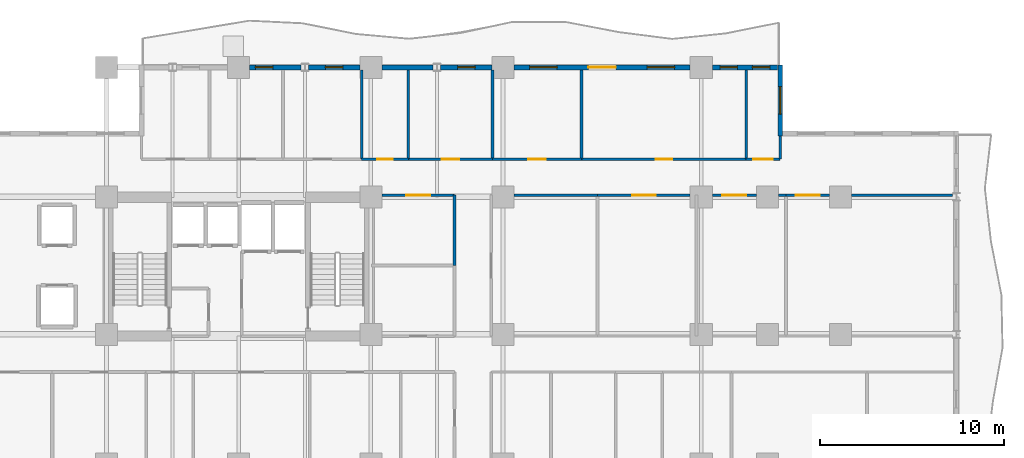
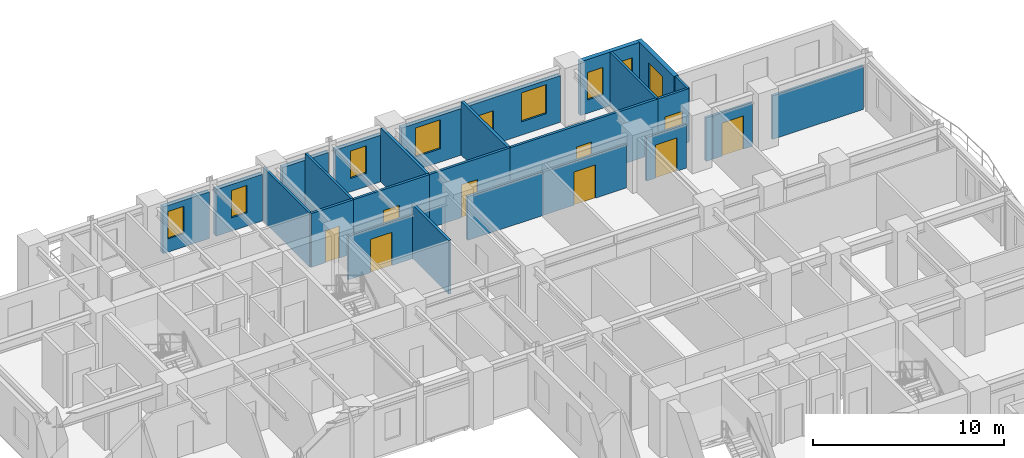
# One storey, part 7 of 11: 26 walls, 10 doors, 8 windows, 18 openings.
"""IFC4 building model written with IfcOpenShell, lengths in metres."""

import ifcopenshell
import ifcopenshell.guid

model = None  # the IFC model being written
_history = None  # IfcOwnerHistory: only IFC2X3 demands one
_inside = {}  # id of a spatial element -> (the spatial element, [elements in it])
_under = {}  # id of a project, library or spatial element -> (it, [spatial elements below it])
_declared = {}  # id of a project -> (the project, [libraries it declares])
_typed = {}  # id of a type object -> (the type object, [elements of that type])
_made_of = {}  # id of a material, layer set ... -> (it, [elements and type objects made of it])


def new_model(schema):
    """Start an empty IFC model of exactly this schema.

    Asked for "IFC4X3", IfcOpenShell would pick the latest addendum, in which some entities
    have other attributes; the version numbers below select the first issue.
    IFC2X3 requires an IfcOwnerHistory on every rooted entity: one is made here for all.
    """
    global model, _history
    if schema == "IFC4X3":
        model = ifcopenshell.file(schema_version=(4, 3, 0, 0))
    else:
        model = ifcopenshell.file(schema=schema)
    _inside.clear()
    _under.clear()
    _declared.clear()
    _typed.clear()
    _made_of.clear()
    _history = None
    if model.schema == "IFC2X3":
        org = make("IfcOrganization", Name="unknown")
        user = make(
            "IfcPersonAndOrganization",
            ThePerson=make("IfcPerson", FamilyName="unknown"),
            TheOrganization=org,
        )
        app = make(
            "IfcApplication",
            ApplicationDeveloper=org,
            Version="unknown",
            ApplicationFullName="unknown",
            ApplicationIdentifier="unknown",
        )
        _history = make(
            "IfcOwnerHistory",
            OwningUser=user,
            OwningApplication=app,
            ChangeAction="ADDED",
            CreationDate=0,
        )
    return model


def make(cls, **values):
    """One entity of the class cls with the attributes given. An attribute that is None is left unset."""
    return model.create_entity(
        cls, **{name: value for name, value in values.items() if value is not None}
    )


def rooted(cls, **values):
    """An entity with a GlobalId (a new one), such as an element, a storey or a relation."""
    return make(cls, GlobalId=ifcopenshell.guid.new(), OwnerHistory=_history, **values)


def si_unit(unit_type, name, prefix=None):
    """IfcSIUnit, for example si_unit("LENGTHUNIT", "METRE", prefix="MILLI")."""
    return make("IfcSIUnit", UnitType=unit_type, Prefix=prefix, Name=name)


def assignment(units):
    """IfcUnitAssignment: the units of a project."""
    return None if units is None else make("IfcUnitAssignment", Units=units)


def point(xyz):
    """IfcCartesianPoint."""
    return None if xyz is None else make("IfcCartesianPoint", Coordinates=xyz)


def direction(xyz):
    """IfcDirection."""
    return None if xyz is None else make("IfcDirection", DirectionRatios=xyz)


def frame(location, z_axis=None, x_axis=None):
    """IfcAxis2Placement3D, a coordinate frame: its origin and axes. An axis left out is left unset."""
    return make(
        "IfcAxis2Placement3D",
        Location=point(location),
        Axis=direction(z_axis),
        RefDirection=direction(x_axis),
    )


def frame_2d(location, x_axis=None):
    """IfcAxis2Placement2D, a coordinate frame in the plane: its origin and x axis."""
    return make(
        "IfcAxis2Placement2D", Location=point(location), RefDirection=direction(x_axis)
    )


def origin():
    """The frame at (0, 0, 0) with its axes left unset."""
    return frame((0.0, 0.0, 0.0))


def place(relative_to, where):
    """IfcLocalPlacement: puts the frame where relative to a parent placement (None: the world)."""
    return make(
        "IfcLocalPlacement", PlacementRelTo=relative_to, RelativePlacement=where
    )


def context(
    kind, dimensions, precision=None, world=None, true_north=None, identifier=None
):
    """IfcGeometricRepresentationContext, for example the 3D "Model" context."""
    return make(
        "IfcGeometricRepresentationContext",
        ContextIdentifier=identifier,
        ContextType=kind,
        CoordinateSpaceDimension=dimensions,
        Precision=precision,
        WorldCoordinateSystem=world,
        TrueNorth=true_north,
    )


def subcontext(parent, identifier, kind, view, scale=None):
    """IfcGeometricRepresentationSubContext, for example "Body" below "Model"."""
    return make(
        "IfcGeometricRepresentationSubContext",
        ContextIdentifier=identifier,
        ContextType=kind,
        ParentContext=parent,
        TargetScale=scale,
        TargetView=view,
    )


def project(units=None, contexts=None):
    """IfcProject with its units and contexts."""
    return rooted(
        "IfcProject",
        Name="project",
        RepresentationContexts=contexts,
        UnitsInContext=assignment(units),
    )


def spatial(cls, under=None, at=None, **own):
    """A site, building, storey or space (cls), placed at a placement, below another one or the project."""
    s = rooted(cls, ObjectPlacement=at, **own)
    if under is not None:
        _under.setdefault(under.id(), (under, []))[1].append(s)
    return s


def profile(cls, at=None, kind="AREA", **sizes):
    """A parametric profile (cls). Its sizes go by their IFC names, for example OverallWidth=200.0."""
    return make(cls, ProfileType=kind, Position=at, **sizes)


def rectangle(**sizes):
    """IfcRectangleProfileDef."""
    return profile("IfcRectangleProfileDef", **sizes)


def extrude(swept, where, along, depth):
    """IfcExtrudedAreaSolid: the profile swept, set in the frame where, extruded along a direction by depth."""
    return make(
        "IfcExtrudedAreaSolid",
        SweptArea=swept,
        Position=where,
        ExtrudedDirection=direction(along),
        Depth=depth,
    )


def shape(context_of_items, identifier, shape_type, items):
    """IfcShapeRepresentation: the items that make up one representation, for example the "Body"."""
    return make(
        "IfcShapeRepresentation",
        ContextOfItems=context_of_items,
        RepresentationIdentifier=identifier,
        RepresentationType=shape_type,
        Items=items,
    )


def material(Name=None, Category=None):
    """IfcMaterial."""
    return make("IfcMaterial", Name=Name, Category=Category)


def layer(
    of_material, thickness, ventilated=None, Name=None, Category=None, Priority=None
):
    """IfcMaterialLayer: one layer of a wall or slab, of a material (None: an air gap)."""
    return make(
        "IfcMaterialLayer",
        Material=of_material,
        LayerThickness=thickness,
        IsVentilated=ventilated,
        Name=Name,
        Category=Category,
        Priority=Priority,
    )


def layer_set(layers, Name=None):
    """IfcMaterialLayerSet."""
    return make("IfcMaterialLayerSet", MaterialLayers=layers, LayerSetName=Name)


def made_of(thing, what):
    """Note that an element or type object is made of a material, layer set ...; save() writes the relation."""
    if what is not None:
        _made_of.setdefault(what.id(), (what, []))[1].append(thing)
    return thing


def type_object(cls, material=None, **own):
    """A type object (cls), such as IfcWallType, which elements share."""
    return made_of(rooted(cls, **own), material)


def element(
    cls,
    number,
    at=None,
    inside=None,
    cuts=None,
    type_object=None,
    material=None,
    context=None,
    identifier="Body",
    shape_type=None,
    held_by="IfcProductDefinitionShape",
    body=None,
    shapes=None,
    **own,
):
    """One element of the class cls, such as IfcWall. Its Tag is "e" and its number.

    at: its placement. inside: the storey or other place that contains it. cuts: it is an
    opening in that element (IfcRelVoidsElement). A single representation is given by context,
    identifier, shape_type and body (its items); several are given by shapes. held_by: the class
    of the entity that holds the representations. save() writes the other relations.
    """
    e = rooted(cls, Tag="e%d" % number, ObjectPlacement=at, **own)
    if body is not None:
        shapes = [shape(context, identifier, shape_type, body)]
    if shapes is not None:
        e.Representation = make(held_by, Representations=shapes)
    if inside is not None:
        _inside.setdefault(inside.id(), (inside, []))[1].append(e)
    if cuts is not None:
        rooted(
            "IfcRelVoidsElement", RelatingBuildingElement=cuts, RelatedOpeningElement=e
        )
    if type_object is not None:
        _typed.setdefault(type_object.id(), (type_object, []))[1].append(e)
    return made_of(e, material)


def fill(opening, filler):
    """IfcRelFillsElement: the door or window that sits in an opening."""
    return rooted(
        "IfcRelFillsElement",
        RelatingOpeningElement=opening,
        RelatedBuildingElement=filler,
    )


def aggregate(whole, parts):
    """IfcRelAggregates: a whole, such as a stair, and the parts it consists of."""
    return rooted("IfcRelAggregates", RelatingObject=whole, RelatedObjects=parts)


def save(model, path):
    """Write the relations noted so far, then the file.

    IfcRelAggregates (storeys below a building ...), IfcRelContainedInSpatialStructure (elements
    in a storey), IfcRelDefinesByType, IfcRelAssociatesMaterial and IfcRelDeclares: one each for
    every whole, place, type object, material and project.
    """
    for whole, parts in _under.values():
        aggregate(whole, parts)
    for where, things in _inside.values():
        rooted(
            "IfcRelContainedInSpatialStructure",
            RelatedElements=things,
            RelatingStructure=where,
        )
    for kind, things in _typed.values():
        rooted("IfcRelDefinesByType", RelatedObjects=things, RelatingType=kind)
    for what, things in _made_of.values():
        rooted("IfcRelAssociatesMaterial", RelatedObjects=things, RelatingMaterial=what)
    for by, libraries in _declared.values():
        rooted("IfcRelDeclares", RelatingContext=by, RelatedDefinitions=libraries)
    model.write(path)


model = new_model("IFC4")

# Units and contexts
model_context = context("Model", 3, precision=1e-05, world=origin(), true_north=direction((0.0, 1.0)))
body_context = subcontext(model_context, "Body", "Model", "MODEL_VIEW")
ifc_project = project(units=[si_unit("LENGTHUNIT", "METRE"), si_unit("AREAUNIT", "SQUARE_METRE"), si_unit("VOLUMEUNIT", "CUBIC_METRE"), si_unit("PLANEANGLEUNIT", "RADIAN"), si_unit("MASSUNIT", "GRAM", prefix="KILO")], contexts=[model_context])

# Site, building, storey
site_placement = place(None, origin())
site = spatial("IfcSite", under=ifc_project, at=site_placement, CompositionType="ELEMENT")
building_placement = place(site_placement, origin())
building = spatial("IfcBuilding", under=site, at=building_placement, Name="Kaliganga Portal Commons", CompositionType="ELEMENT")
storey_placement = place(building_placement, frame((0.0, 0.0, 119.300048828125)))
storey = spatial("IfcBuildingStorey", under=building, at=storey_placement, Name="L30", CompositionType="ELEMENT", Elevation=119.300048828125)

# Wall, opening, window
ifc_material_1 = material(Name="Insulated Aluminium-Clad Spandrel Assembly", Category="aluminium")
ifc_layer_1 = layer(ifc_material_1, 0.260009765625)
ifc_layer_set_1 = layer_set([ifc_layer_1], Name="Insulated Aluminium-Clad Spandrel Assembly")
wall_type_1 = type_object("IfcWallType", Name="WL-EXT-SPAND-260", PredefinedType="STANDARD", material=ifc_layer_set_1)
wall_1_placement = place(storey_placement, frame((51.10009765625, 43.330078125, 0.0), z_axis=(0.0, 0.0, 1.0), x_axis=(0.0, -1.0, 0.0)))
wall_1 = element("IfcWall", 1, at=wall_1_placement, inside=storey, type_object=wall_type_1, Name="Exterior Envelope Wall L30 P1-E05-S1", PredefinedType="STANDARD", context=body_context, shape_type="SweptSolid", body=[
    extrude(rectangle(XDim=3.860107421875, YDim=0.260009765625, at=frame_2d((1.93017578125, 0.0))), origin(), (0.0, 0.0, 1.0), 3.429931640625),
])
opening_1_placement = place(wall_1_placement, frame((1.179931640625, 0.0, 0.85009765625)))
opening_1 = element("IfcOpeningElement", 2, at=opening_1_placement, cuts=wall_1, Name="Opening W-02", PredefinedType="OPENING", context=body_context, shape_type="SweptSolid", body=[
    extrude(rectangle(XDim=1.5, YDim=1.85009765625, at=frame_2d((0.75, 0.925048828125))), frame((0.0, 0.14013671875, 0.0), z_axis=(0.0, -1.0, 0.0), x_axis=(1.0, 0.0, 0.0)), (0.0, 0.0, 1.0), 0.280029296875),
])
ifc_material_2 = material(Name="Thermally Broken Aluminium and Low-E Double Glazing", Category="aluminium")
window_type_1 = type_object("IfcWindowType", Name="WIN-STD-1500", PartitioningType="DOUBLE_PANEL_VERTICAL", PredefinedType="WINDOW", material=ifc_material_2)
window_1_placement = place(opening_1_placement, origin())
window_1 = element("IfcWindow", 3, at=window_1_placement, inside=storey, type_object=window_type_1, Name="Facade Window L30-P1E05S1-00", OverallHeight=1.85009765625, OverallWidth=1.5, PartitioningType="SINGLE_PANEL", PredefinedType="WINDOW", context=body_context, shape_type="SweptSolid", body=[
    extrude(rectangle(XDim=1.5, YDim=1.85009765625, at=frame_2d((0.75, 0.925048828125))), frame((0.0, 0.030029296875, 0.0), z_axis=(0.0, -1.0, 0.0), x_axis=(1.0, 0.0, 0.0)), (0.0, 0.0, 1.0), 0.06005859375),
])
fill(opening_1, window_1)

# Wall, openings, windows
wall_2_placement = place(storey_placement, frame((47.40087890625, 43.199951171875, 0.0), z_axis=(0.0, 0.0, 1.0), x_axis=(1.0, 0.0, 0.0)))
wall_2 = element("IfcWall", 4, at=wall_2_placement, inside=storey, type_object=wall_type_1, Name="Exterior Envelope Wall L30 P1-E06-S1", PredefinedType="STANDARD", context=body_context, shape_type="SweptSolid", body=[
    extrude(rectangle(XDim=3.564208984375, YDim=0.260009765625, at=frame_2d((1.7822265625, 0.0))), origin(), (0.0, 0.0, 1.0), 3.429931640625),
])
opening_2_placement = place(wall_2_placement, frame((0.423095703125, 0.0, 0.85009765625)))
opening_2 = element("IfcOpeningElement", 5, at=opening_2_placement, cuts=wall_2, Name="Opening W-04", PredefinedType="OPENING", context=body_context, shape_type="SweptSolid", body=[
    extrude(rectangle(XDim=0.949951171875, YDim=1.75, at=frame_2d((0.47509765625, 0.875))), frame((0.0, 0.14013671875, 0.0), z_axis=(0.0, -1.0, 0.0), x_axis=(1.0, 0.0, 0.0)), (0.0, 0.0, 1.0), 0.280029296875),
])
opening_3_placement = place(wall_2_placement, frame((2.19091796875, 0.0, 0.85009765625)))
opening_3 = element("IfcOpeningElement", 6, at=opening_3_placement, cuts=wall_2, Name="Opening W-04", PredefinedType="OPENING", context=body_context, shape_type="SweptSolid", body=[
    extrude(rectangle(XDim=0.949951171875, YDim=1.75, at=frame_2d((0.47509765625, 0.875))), frame((0.0, 0.14013671875, 0.0), z_axis=(0.0, -1.0, 0.0), x_axis=(1.0, 0.0, 0.0)), (0.0, 0.0, 1.0), 0.280029296875),
])
window_type_2 = type_object("IfcWindowType", Name="WIN-NARROW-950", PartitioningType="SINGLE_PANEL", PredefinedType="WINDOW", material=ifc_material_2)
window_2_placement = place(opening_2_placement, origin())
window_2 = element("IfcWindow", 7, at=window_2_placement, inside=storey, type_object=window_type_2, Name="Facade Window L30-P1E06S1-N1", OverallHeight=1.75, OverallWidth=0.949951171875, PartitioningType="SINGLE_PANEL", PredefinedType="WINDOW", context=body_context, shape_type="SweptSolid", body=[
    extrude(rectangle(XDim=0.949951171875, YDim=1.75, at=frame_2d((0.47509765625, 0.875))), frame((0.0, 0.030029296875, 0.0), z_axis=(0.0, -1.0, 0.0), x_axis=(1.0, 0.0, 0.0)), (0.0, 0.0, 1.0), 0.06005859375),
])
fill(opening_2, window_2)
window_3_placement = place(opening_3_placement, origin())
window_3 = element("IfcWindow", 8, at=window_3_placement, inside=storey, type_object=window_type_2, Name="Facade Window L30-P1E06S1-N2", OverallHeight=1.75, OverallWidth=0.949951171875, PartitioningType="SINGLE_PANEL", PredefinedType="WINDOW", context=body_context, shape_type="SweptSolid", body=[
    extrude(rectangle(XDim=0.949951171875, YDim=1.75, at=frame_2d((0.47509765625, 0.875))), frame((0.0, 0.030029296875, 0.0), z_axis=(0.0, -1.0, 0.0), x_axis=(1.0, 0.0, 0.0)), (0.0, 0.0, 1.0), 0.06005859375),
])
fill(opening_3, window_3)

# Wall, openings, door, windows
wall_3_placement = place(storey_placement, frame((36.60107421875, 43.199951171875, 0.0), z_axis=(0.0, 0.0, 1.0), x_axis=(1.0, 0.0, 0.0)))
wall_3 = element("IfcWall", 9, at=wall_3_placement, inside=storey, type_object=wall_type_1, Name="Exterior Envelope Wall L30 P1-E06-S2", PredefinedType="STANDARD", context=body_context, shape_type="SweptSolid", body=[
    extrude(rectangle(XDim=9.597900390625, YDim=0.260009765625, at=frame_2d((4.798828125, 0.0))), origin(), (0.0, 0.0, 1.0), 2.97998046875),
])
opening_4_placement = place(wall_3_placement, frame((4.049072265625, 0.0, 0.0)))
opening_4 = element("IfcOpeningElement", 10, at=opening_4_placement, cuts=wall_3, Name="Opening BD-01", PredefinedType="OPENING", context=body_context, shape_type="SweptSolid", body=[
    extrude(rectangle(XDim=1.5, YDim=2.14990234375, at=frame_2d((0.75, 1.074951171875))), frame((0.0, 0.14013671875, 0.0), z_axis=(0.0, -1.0, 0.0), x_axis=(1.0, 0.0, 0.0)), (0.0, 0.0, 1.0), 0.280029296875),
])
opening_5_placement = place(wall_3_placement, frame((0.849609375, 0.0, 0.85009765625)))
opening_5 = element("IfcOpeningElement", 11, at=opening_5_placement, cuts=wall_3, Name="Opening W-02", PredefinedType="OPENING", context=body_context, shape_type="SweptSolid", body=[
    extrude(rectangle(XDim=1.5, YDim=1.85009765625, at=frame_2d((0.75, 0.925048828125))), frame((0.0, 0.14013671875, 0.0), z_axis=(0.0, -1.0, 0.0), x_axis=(1.0, 0.0, 0.0)), (0.0, 0.0, 1.0), 0.280029296875),
])
opening_6_placement = place(wall_3_placement, frame((7.248291015625, 0.0, 0.85009765625)))
opening_6 = element("IfcOpeningElement", 12, at=opening_6_placement, cuts=wall_3, Name="Opening W-02", PredefinedType="OPENING", context=body_context, shape_type="SweptSolid", body=[
    extrude(rectangle(XDim=1.5, YDim=1.85009765625, at=frame_2d((0.75, 0.925048828125))), frame((0.0, 0.14013671875, 0.0), z_axis=(0.0, -1.0, 0.0), x_axis=(1.0, 0.0, 0.0)), (0.0, 0.0, 1.0), 0.280029296875),
])
ifc_material_3 = material(Name="Anodized Aluminium and Laminated Safety Glass", Category="aluminium")
door_type_1 = type_object("IfcDoorType", Name="DR-BALC-1500", OperationType="SLIDING_TO_LEFT", PredefinedType="DOOR", material=ifc_material_3)
door_1_placement = place(opening_4_placement, origin())
door_1 = element("IfcDoor", 13, at=door_1_placement, inside=storey, type_object=door_type_1, Name="Balcony Sliding Door L30 balc_north", OperationType="SLIDING_TO_LEFT", OverallHeight=2.14990234375, OverallWidth=1.5, PredefinedType="DOOR", context=body_context, shape_type="SweptSolid", body=[
    extrude(rectangle(XDim=1.5, YDim=2.14990234375, at=frame_2d((0.75, 1.074951171875))), frame((0.0, 0.02490234375, 0.0), z_axis=(0.0, -1.0, 0.0), x_axis=(1.0, 0.0, 0.0)), (0.0, 0.0, 1.0), 0.050048828125),
])
fill(opening_4, door_1)
window_4_placement = place(opening_5_placement, origin())
window_4 = element("IfcWindow", 14, at=window_4_placement, inside=storey, type_object=window_type_1, Name="Facade Window L30-P1E06S2-00", OverallHeight=1.85009765625, OverallWidth=1.5, PartitioningType="SINGLE_PANEL", PredefinedType="WINDOW", context=body_context, shape_type="SweptSolid", body=[
    extrude(rectangle(XDim=1.5, YDim=1.85009765625, at=frame_2d((0.75, 0.925048828125))), frame((0.0, 0.030029296875, 0.0), z_axis=(0.0, -1.0, 0.0), x_axis=(1.0, 0.0, 0.0)), (0.0, 0.0, 1.0), 0.06005859375),
])
fill(opening_5, window_4)
window_5_placement = place(opening_6_placement, origin())
window_5 = element("IfcWindow", 15, at=window_5_placement, inside=storey, type_object=window_type_1, Name="Facade Window L30-P1E06S2-02", OverallHeight=1.85009765625, OverallWidth=1.5, PartitioningType="SINGLE_PANEL", PredefinedType="WINDOW", context=body_context, shape_type="SweptSolid", body=[
    extrude(rectangle(XDim=1.5, YDim=1.85009765625, at=frame_2d((0.75, 0.925048828125))), frame((0.0, 0.030029296875, 0.0), z_axis=(0.0, -1.0, 0.0), x_axis=(1.0, 0.0, 0.0)), (0.0, 0.0, 1.0), 0.06005859375),
])
fill(opening_6, window_5)

# Wall, opening, window
wall_4_placement = place(storey_placement, frame((32.60546875, 43.199951171875, 0.0), z_axis=(0.0, 0.0, 1.0), x_axis=(1.0, 0.0, 0.0)))
wall_4 = element("IfcWall", 16, at=wall_4_placement, inside=storey, type_object=wall_type_1, Name="Exterior Envelope Wall L30 P1-E06-S3", PredefinedType="STANDARD", context=body_context, shape_type="SweptSolid", body=[
    extrude(rectangle(XDim=2.79345703125, YDim=0.260009765625, at=frame_2d((1.396728515625, 0.0))), origin(), (0.0, 0.0, 1.0), 2.97998046875),
])
opening_7_placement = place(wall_4_placement, frame((0.921875, 0.0, 0.85009765625)))
opening_7 = element("IfcOpeningElement", 17, at=opening_7_placement, cuts=wall_4, Name="Opening W-04", PredefinedType="OPENING", context=body_context, shape_type="SweptSolid", body=[
    extrude(rectangle(XDim=0.949951171875, YDim=1.75, at=frame_2d((0.47509765625, 0.875))), frame((0.0, 0.14013671875, 0.0), z_axis=(0.0, -1.0, 0.0), x_axis=(1.0, 0.0, 0.0)), (0.0, 0.0, 1.0), 0.280029296875),
])
window_6_placement = place(opening_7_placement, origin())
window_6 = element("IfcWindow", 18, at=window_6_placement, inside=storey, type_object=window_type_2, Name="Facade Window L30-P1E06S3-00", OverallHeight=1.75, OverallWidth=0.949951171875, PartitioningType="SINGLE_PANEL", PredefinedType="WINDOW", context=body_context, shape_type="SweptSolid", body=[
    extrude(rectangle(XDim=0.949951171875, YDim=1.75, at=frame_2d((0.47509765625, 0.875))), frame((0.0, 0.030029296875, 0.0), z_axis=(0.0, -1.0, 0.0), x_axis=(1.0, 0.0, 0.0)), (0.0, 0.0, 1.0), 0.06005859375),
])
fill(opening_7, window_6)

# Wall
wall_5_placement = place(storey_placement, frame((29.40087890625, 43.199951171875, 0.0), z_axis=(0.0, 0.0, 1.0), x_axis=(1.0, 0.0, 0.0)))
element("IfcWall", 19, at=wall_5_placement, inside=storey, type_object=wall_type_1, Name="Exterior Envelope Wall L30 P1-E06-S4", PredefinedType="STANDARD", context=body_context, shape_type="SweptSolid", body=[
    extrude(rectangle(XDim=2.793701171875, YDim=0.260009765625, at=frame_2d((1.39697265625, 0.0))), origin(), (0.0, 0.0, 1.0), 2.97998046875),
])

# Wall, opening, window
wall_6_placement = place(storey_placement, frame((25.405517578125, 43.199951171875, 0.0), z_axis=(0.0, 0.0, 1.0), x_axis=(1.0, 0.0, 0.0)))
wall_6 = element("IfcWall", 20, at=wall_6_placement, inside=storey, type_object=wall_type_1, Name="Exterior Envelope Wall L30 P1-E06-S5", PredefinedType="STANDARD", context=body_context, shape_type="SweptSolid", body=[
    extrude(rectangle(XDim=2.79345703125, YDim=0.260009765625, at=frame_2d((1.396728515625, 0.0))), origin(), (0.0, 0.0, 1.0), 2.97998046875),
])
opening_8_placement = place(wall_6_placement, frame((0.921875, 0.0, 0.85009765625)))
opening_8 = element("IfcOpeningElement", 21, at=opening_8_placement, cuts=wall_6, Name="Opening W-04", PredefinedType="OPENING", context=body_context, shape_type="SweptSolid", body=[
    extrude(rectangle(XDim=0.949951171875, YDim=1.75, at=frame_2d((0.47509765625, 0.875))), frame((0.0, 0.14013671875, 0.0), z_axis=(0.0, -1.0, 0.0), x_axis=(1.0, 0.0, 0.0)), (0.0, 0.0, 1.0), 0.280029296875),
])
window_7_placement = place(opening_8_placement, origin())
window_7 = element("IfcWindow", 22, at=window_7_placement, inside=storey, type_object=window_type_2, Name="Facade Window L30-P1E06S5-00", OverallHeight=1.75, OverallWidth=0.949951171875, PartitioningType="SINGLE_PANEL", PredefinedType="WINDOW", context=body_context, shape_type="SweptSolid", body=[
    extrude(rectangle(XDim=0.949951171875, YDim=1.75, at=frame_2d((0.47509765625, 0.875))), frame((0.0, 0.030029296875, 0.0), z_axis=(0.0, -1.0, 0.0), x_axis=(1.0, 0.0, 0.0)), (0.0, 0.0, 1.0), 0.06005859375),
])
fill(opening_8, window_7)

wall_7_placement = place(storey_placement, frame((22.200927734375, 43.199951171875, 0.0), z_axis=(0.0, 0.0, 1.0), x_axis=(1.0, 0.0, 0.0)))
wall_7 = element("IfcWall", 23, at=wall_7_placement, inside=storey, type_object=wall_type_1, Name="Exterior Envelope Wall L30 P1-E06-S6", PredefinedType="STANDARD", context=body_context, shape_type="SweptSolid", body=[
    extrude(rectangle(XDim=2.79345703125, YDim=0.260009765625, at=frame_2d((1.396728515625, 0.0))), origin(), (0.0, 0.0, 1.0), 2.97998046875),
])
opening_9_placement = place(wall_7_placement, frame((0.30712890625, 0.0, 0.85009765625)))
opening_9 = element("IfcOpeningElement", 24, at=opening_9_placement, cuts=wall_7, Name="Opening W-04", PredefinedType="OPENING", context=body_context, shape_type="SweptSolid", body=[
    extrude(rectangle(XDim=0.949951171875, YDim=1.75, at=frame_2d((0.47509765625, 0.875))), frame((0.0, 0.14013671875, 0.0), z_axis=(0.0, -1.0, 0.0), x_axis=(1.0, 0.0, 0.0)), (0.0, 0.0, 1.0), 0.280029296875),
])
window_8_placement = place(opening_9_placement, origin())
window_8 = element("IfcWindow", 25, at=window_8_placement, inside=storey, type_object=window_type_2, Name="Facade Window L30-P1E06S6-N3", OverallHeight=1.75, OverallWidth=0.949951171875, PartitioningType="SINGLE_PANEL", PredefinedType="WINDOW", context=body_context, shape_type="SweptSolid", body=[
    extrude(rectangle(XDim=0.949951171875, YDim=1.75, at=frame_2d((0.47509765625, 0.875))), frame((0.0, 0.030029296875, 0.0), z_axis=(0.0, -1.0, 0.0), x_axis=(1.0, 0.0, 0.0)), (0.0, 0.0, 1.0), 0.06005859375),
])
fill(opening_9, window_8)

# Wall, opening, door
ifc_material_4 = material(Name="Fire-Rated Gypsum Board on Steel Stud", Category="steel")
ifc_layer_2 = layer(ifc_material_4, 0.14990234375)
ifc_layer_set_2 = layer_set([ifc_layer_2], Name="Fire-Rated Gypsum Board on Steel Stud")
wall_type_2 = type_object("IfcWallType", Name="WL-PART-CORR-150", PredefinedType="PARTITIONING", material=ifc_layer_set_2)
wall_8_placement = place(storey_placement, frame((51.419921875, 36.239990234375, 0.0), z_axis=(0.0, 0.0, 1.0), x_axis=(1.0, 0.0, 0.0)))
wall_8 = element("IfcWall", 26, at=wall_8_placement, inside=storey, type_object=wall_type_2, Name="Interior Partition L30-005", PredefinedType="PARTITIONING", context=body_context, shape_type="SweptSolid", body=[
    extrude(rectangle(XDim=2.380126953125, YDim=0.14990234375, at=frame_2d((1.18994140625, 0.0))), origin(), (0.0, 0.0, 1.0), 2.780029296875),
])
opening_10_placement = place(wall_8_placement, frame((0.5400390625, 0.0, 0.0)))
opening_10 = element("IfcOpeningElement", 27, at=opening_10_placement, cuts=wall_8, Name="Opening RD-03", PredefinedType="OPENING", context=body_context, shape_type="SweptSolid", body=[
    extrude(rectangle(XDim=1.300048828125, YDim=2.1201171875, at=frame_2d((0.64990234375, 1.06005859375))), frame((0.0, 0.0849609375, 0.0), z_axis=(0.0, -1.0, 0.0), x_axis=(1.0, 0.0, 0.0)), (0.0, 0.0, 1.0), 0.169921875),
])
ifc_material_5 = material(Name="Glazed Timber Seminar Vision Door", Category="wood")
door_type_2 = type_object("IfcDoorType", Name="DR-STUDY-1300", OperationType="DOUBLE_DOOR_SINGLE_SWING", PredefinedType="DOOR", material=ifc_material_5)
door_2_placement = place(opening_10_placement, origin())
door_2 = element("IfcDoor", 28, at=door_2_placement, inside=storey, type_object=door_type_2, Name="Interior Door L30-BK04", OperationType="DOUBLE_DOOR_SINGLE_SWING", OverallHeight=2.1201171875, OverallWidth=1.300048828125, PredefinedType="DOOR", context=body_context, shape_type="SweptSolid", body=[
    extrude(rectangle(XDim=1.300048828125, YDim=2.1201171875, at=frame_2d((0.64990234375, 1.06005859375))), frame((0.0, 0.02490234375, 0.0), z_axis=(0.0, -1.0, 0.0), x_axis=(1.0, 0.0, 0.0)), (0.0, 0.0, 1.0), 0.050048828125),
])
fill(opening_10, door_2)

# Wall
wall_9_placement = place(storey_placement, frame((55.0, 36.239990234375, 0.0), z_axis=(0.0, 0.0, 1.0), x_axis=(1.0, 0.0, 0.0)))
element("IfcWall", 29, at=wall_9_placement, inside=storey, type_object=wall_type_2, Name="Interior Partition L30-006", PredefinedType="PARTITIONING", context=body_context, shape_type="SweptSolid", body=[
    extrude(rectangle(XDim=5.49560546875, YDim=0.14990234375, at=frame_2d((2.747802734375, 0.0))), origin(), (0.0, 0.0, 1.0), 2.780029296875),
])

# Wall, opening, door
wall_10_placement = place(storey_placement, frame((40.280029296875, 38.199951171875, 0.0), z_axis=(0.0, 0.0, 1.0), x_axis=(1.0, 0.0, 0.0)))
wall_10 = element("IfcWall", 30, at=wall_10_placement, inside=storey, type_object=wall_type_2, Name="Interior Partition L30-007", PredefinedType="PARTITIONING", context=body_context, shape_type="SweptSolid", body=[
    extrude(rectangle(XDim=8.9599609375, YDim=0.14990234375, at=frame_2d((4.47998046875, 0.0))), origin(), (0.0, 0.0, 1.0), 3.429931640625),
])
opening_11_placement = place(wall_10_placement, frame((4.030029296875, 0.0, 0.0)))
opening_11 = element("IfcOpeningElement", 31, at=opening_11_placement, cuts=wall_10, Name="Opening RD-01", PredefinedType="OPENING", context=body_context, shape_type="SweptSolid", body=[
    extrude(rectangle(XDim=0.89990234375, YDim=2.080078125, at=frame_2d((0.449951171875, 1.0400390625))), frame((0.0, 0.0849609375, 0.0), z_axis=(0.0, -1.0, 0.0), x_axis=(1.0, 0.0, 0.0)), (0.0, 0.0, 1.0), 0.169921875),
])
ifc_material_6 = material(Name="Engineered Timber Flush Door", Category="wood")
door_type_3 = type_object("IfcDoorType", Name="DR-ROOM-900", OperationType="NOTDEFINED", PredefinedType="DOOR", material=ifc_material_6)
door_3_placement = place(opening_11_placement, origin())
door_3 = element("IfcDoor", 32, at=door_3_placement, inside=storey, type_object=door_type_3, Name="Interior Door L30-AN07", OperationType="SINGLE_SWING_LEFT", OverallHeight=2.080078125, OverallWidth=0.89990234375, PredefinedType="DOOR", context=body_context, shape_type="SweptSolid", body=[
    extrude(rectangle(XDim=0.89990234375, YDim=2.080078125, at=frame_2d((0.449951171875, 1.0400390625))), frame((0.0, 0.02490234375, 0.0), z_axis=(0.0, -1.0, 0.0), x_axis=(1.0, 0.0, 0.0)), (0.0, 0.0, 1.0), 0.050048828125),
])
fill(opening_11, door_3)

# Wall
wall_11_placement = place(storey_placement, frame((36.60009765625, 36.239990234375, 0.0), z_axis=(0.0, 0.0, 1.0), x_axis=(1.0, 0.0, 0.0)))
element("IfcWall", 33, at=wall_11_placement, inside=storey, type_object=wall_type_2, Name="Interior Partition L30-013", PredefinedType="PARTITIONING", context=body_context, shape_type="SweptSolid", body=[
    extrude(rectangle(XDim=4.559814453125, YDim=0.14990234375, at=frame_2d((2.27978515625, 0.0))), origin(), (0.0, 0.0, 1.0), 2.780029296875),
])

# Wall, opening, door
wall_12_placement = place(storey_placement, frame((41.159912109375, 36.239990234375, 0.0), z_axis=(0.0, 0.0, 1.0), x_axis=(1.0, 0.0, 0.0)))
wall_12 = element("IfcWall", 34, at=wall_12_placement, inside=storey, type_object=wall_type_2, Name="Interior Partition L30-014", PredefinedType="PARTITIONING", context=body_context, shape_type="SweptSolid", body=[
    extrude(rectangle(XDim=5.0400390625, YDim=0.14990234375, at=frame_2d((2.52001953125, 0.0))), origin(), (0.0, 0.0, 1.0), 2.780029296875),
])
opening_12_placement = place(wall_12_placement, frame((1.8701171875, 0.0, 0.0)))
opening_12 = element("IfcOpeningElement", 35, at=opening_12_placement, cuts=wall_12, Name="Opening RD-03", PredefinedType="OPENING", context=body_context, shape_type="SweptSolid", body=[
    extrude(rectangle(XDim=1.300048828125, YDim=2.1201171875, at=frame_2d((0.64990234375, 1.06005859375))), frame((0.0, 0.0849609375, 0.0), z_axis=(0.0, -1.0, 0.0), x_axis=(1.0, 0.0, 0.0)), (0.0, 0.0, 1.0), 0.169921875),
])
door_4_placement = place(opening_12_placement, origin())
door_4 = element("IfcDoor", 36, at=door_4_placement, inside=storey, type_object=door_type_2, Name="Interior Door L30-BK02", OperationType="DOUBLE_DOOR_SINGLE_SWING", OverallHeight=2.1201171875, OverallWidth=1.300048828125, PredefinedType="DOOR", context=body_context, shape_type="SweptSolid", body=[
    extrude(rectangle(XDim=1.300048828125, YDim=2.1201171875, at=frame_2d((0.64990234375, 1.06005859375))), frame((0.0, 0.02490234375, 0.0), z_axis=(0.0, -1.0, 0.0), x_axis=(1.0, 0.0, 0.0)), (0.0, 0.0, 1.0), 0.050048828125),
])
fill(opening_12, door_4)

wall_13_placement = place(storey_placement, frame((47.39990234375, 36.239990234375, 0.0), z_axis=(0.0, 0.0, 1.0), x_axis=(1.0, 0.0, 0.0)))
wall_13 = element("IfcWall", 37, at=wall_13_placement, inside=storey, type_object=wall_type_2, Name="Interior Partition L30-019", PredefinedType="PARTITIONING", context=body_context, shape_type="SweptSolid", body=[
    extrude(rectangle(XDim=2.400146484375, YDim=0.14990234375, at=frame_2d((1.2001953125, 0.0))), origin(), (0.0, 0.0, 1.0), 2.780029296875),
])
opening_13_placement = place(wall_13_placement, frame((0.550048828125, 0.0, 0.0)))
opening_13 = element("IfcOpeningElement", 38, at=opening_13_placement, cuts=wall_13, Name="Opening RD-03", PredefinedType="OPENING", context=body_context, shape_type="SweptSolid", body=[
    extrude(rectangle(XDim=1.300048828125, YDim=2.1201171875, at=frame_2d((0.64990234375, 1.06005859375))), frame((0.0, 0.0849609375, 0.0), z_axis=(0.0, -1.0, 0.0), x_axis=(1.0, 0.0, 0.0)), (0.0, 0.0, 1.0), 0.169921875),
])
door_5_placement = place(opening_13_placement, origin())
door_5 = element("IfcDoor", 39, at=door_5_placement, inside=storey, type_object=door_type_2, Name="Interior Door L30-BK03", OperationType="DOUBLE_DOOR_SINGLE_SWING", OverallHeight=2.1201171875, OverallWidth=1.300048828125, PredefinedType="DOOR", context=body_context, shape_type="SweptSolid", body=[
    extrude(rectangle(XDim=1.300048828125, YDim=2.1201171875, at=frame_2d((0.64990234375, 1.06005859375))), frame((0.0, 0.02490234375, 0.0), z_axis=(0.0, -1.0, 0.0), x_axis=(1.0, 0.0, 0.0)), (0.0, 0.0, 1.0), 0.050048828125),
])
fill(opening_13, door_5)

# Wall
wall_14_placement = place(storey_placement, frame((51.0, 36.239990234375, 0.0), z_axis=(0.0, 0.0, 1.0), x_axis=(1.0, 0.0, 0.0)))
element("IfcWall", 40, at=wall_14_placement, inside=storey, type_object=wall_type_2, Name="Interior Partition L30-020", PredefinedType="PARTITIONING", context=body_context, shape_type="SweptSolid", body=[
    extrude(rectangle(XDim=0.419921875, YDim=0.14990234375, at=frame_2d((0.2099609375, 0.0))), origin(), (0.0, 0.0, 1.0), 2.780029296875),
])

# Wall, opening, door
wall_15_placement = place(storey_placement, frame((35.419921875, 38.199951171875, 0.0), z_axis=(0.0, 0.0, 1.0), x_axis=(1.0, 0.0, 0.0)))
wall_15 = element("IfcWall", 41, at=wall_15_placement, inside=storey, type_object=wall_type_2, Name="Interior Partition L30-021", PredefinedType="PARTITIONING", context=body_context, shape_type="SweptSolid", body=[
    extrude(rectangle(XDim=4.860107421875, YDim=0.14990234375, at=frame_2d((2.43017578125, 0.0))), origin(), (0.0, 0.0, 1.0), 3.429931640625),
])
opening_14_placement = place(wall_15_placement, frame((1.955078125, 0.0, 0.0)))
opening_14 = element("IfcOpeningElement", 42, at=opening_14_placement, cuts=wall_15, Name="Opening UD-01", PredefinedType="OPENING", context=body_context, shape_type="SweptSolid", body=[
    extrude(rectangle(XDim=0.949951171875, YDim=2.10009765625, at=frame_2d((0.47509765625, 1.050048828125))), frame((0.0, 0.0849609375, 0.0), z_axis=(0.0, -1.0, 0.0), x_axis=(1.0, 0.0, 0.0)), (0.0, 0.0, 1.0), 0.169921875),
])
ifc_material_7 = material(Name="Solid-Core Timber Acoustic Fire Door", Category="wood")
door_type_4 = type_object("IfcDoorType", Name="DR-UNIT-950", OperationType="NOTDEFINED", PredefinedType="DOOR", material=ifc_material_7)
door_6_placement = place(opening_14_placement, origin())
door_6 = element("IfcDoor", 43, at=door_6_placement, inside=storey, type_object=door_type_4, Name="Interior Door L30-AN06", OperationType="SINGLE_SWING_LEFT", OverallHeight=2.10009765625, OverallWidth=0.949951171875, PredefinedType="DOOR", context=body_context, shape_type="SweptSolid", body=[
    extrude(rectangle(XDim=0.949951171875, YDim=2.10009765625, at=frame_2d((0.47509765625, 1.050048828125))), frame((0.0, 0.02490234375, 0.0), z_axis=(0.0, -1.0, 0.0), x_axis=(1.0, 0.0, 0.0)), (0.0, 0.0, 1.0), 0.050048828125),
])
fill(opening_14, door_6)

wall_16_placement = place(storey_placement, frame((30.840087890625, 38.199951171875, 0.0), z_axis=(0.0, 0.0, 1.0), x_axis=(1.0, 0.0, 0.0)))
wall_16 = element("IfcWall", 44, at=wall_16_placement, inside=storey, type_object=wall_type_2, Name="Interior Partition L30-023", PredefinedType="PARTITIONING", context=body_context, shape_type="SweptSolid", body=[
    extrude(rectangle(XDim=4.579833984375, YDim=0.14990234375, at=frame_2d((2.2900390625, 0.0))), origin(), (0.0, 0.0, 1.0), 3.429931640625),
])
opening_15_placement = place(wall_16_placement, frame((1.81494140625, 0.0, 0.0)))
opening_15 = element("IfcOpeningElement", 45, at=opening_15_placement, cuts=wall_16, Name="Opening UD-01", PredefinedType="OPENING", context=body_context, shape_type="SweptSolid", body=[
    extrude(rectangle(XDim=0.949951171875, YDim=2.10009765625, at=frame_2d((0.47509765625, 1.050048828125))), frame((0.0, 0.0849609375, 0.0), z_axis=(0.0, -1.0, 0.0), x_axis=(1.0, 0.0, 0.0)), (0.0, 0.0, 1.0), 0.169921875),
])
door_7_placement = place(opening_15_placement, origin())
door_7 = element("IfcDoor", 46, at=door_7_placement, inside=storey, type_object=door_type_4, Name="Interior Door L30-AN05", OperationType="SINGLE_SWING_LEFT", OverallHeight=2.10009765625, OverallWidth=0.949951171875, PredefinedType="DOOR", context=body_context, shape_type="SweptSolid", body=[
    extrude(rectangle(XDim=0.949951171875, YDim=2.10009765625, at=frame_2d((0.47509765625, 1.050048828125))), frame((0.0, 0.02490234375, 0.0), z_axis=(0.0, -1.0, 0.0), x_axis=(1.0, 0.0, 0.0)), (0.0, 0.0, 1.0), 0.050048828125),
])
fill(opening_15, door_7)

wall_17_placement = place(storey_placement, frame((29.39990234375, 36.239990234375, 0.0), z_axis=(0.0, 0.0, 1.0), x_axis=(1.0, 0.0, 0.0)))
wall_17 = element("IfcWall", 47, at=wall_17_placement, inside=storey, type_object=wall_type_2, Name="Interior Partition L30-025", PredefinedType="PARTITIONING", context=body_context, shape_type="SweptSolid", body=[
    extrude(rectangle(XDim=3.960205078125, YDim=0.14990234375, at=frame_2d((1.97998046875, 0.0))), origin(), (0.0, 0.0, 1.0), 2.780029296875),
])
opening_16_placement = place(wall_17_placement, frame((1.330078125, 0.0, 0.0)))
opening_16 = element("IfcOpeningElement", 48, at=opening_16_placement, cuts=wall_17, Name="Opening RD-03", PredefinedType="OPENING", context=body_context, shape_type="SweptSolid", body=[
    extrude(rectangle(XDim=1.300048828125, YDim=2.1201171875, at=frame_2d((0.64990234375, 1.06005859375))), frame((0.0, 0.0849609375, 0.0), z_axis=(0.0, -1.0, 0.0), x_axis=(1.0, 0.0, 0.0)), (0.0, 0.0, 1.0), 0.169921875),
])
door_8_placement = place(opening_16_placement, origin())
door_8 = element("IfcDoor", 49, at=door_8_placement, inside=storey, type_object=door_type_2, Name="Interior Door L30-CSRV_A2", OperationType="DOUBLE_DOOR_SINGLE_SWING", OverallHeight=2.1201171875, OverallWidth=1.300048828125, PredefinedType="DOOR", context=body_context, shape_type="SweptSolid", body=[
    extrude(rectangle(XDim=1.300048828125, YDim=2.1201171875, at=frame_2d((0.64990234375, 1.06005859375))), frame((0.0, 0.02490234375, 0.0), z_axis=(0.0, -1.0, 0.0), x_axis=(1.0, 0.0, 0.0)), (0.0, 0.0, 1.0), 0.050048828125),
])
fill(opening_16, door_8)

# Wall
wall_18_placement = place(storey_placement, frame((33.360107421875, 32.39990234375, 0.0), z_axis=(0.0, 0.0, 1.0), x_axis=(0.0, 1.0, 0.0)))
element("IfcWall", 50, at=wall_18_placement, inside=storey, type_object=wall_type_2, Name="Interior Partition L30-028", PredefinedType="PARTITIONING", context=body_context, shape_type="SweptSolid", body=[
    extrude(rectangle(XDim=3.840087890625, YDim=0.14990234375, at=frame_2d((1.919921875, 0.0))), origin(), (0.0, 0.0, 1.0), 3.429931640625),
])

# Wall, opening, door
wall_19_placement = place(storey_placement, frame((28.300048828125, 38.199951171875, 0.0), z_axis=(0.0, 0.0, 1.0), x_axis=(1.0, 0.0, 0.0)))
wall_19 = element("IfcWall", 51, at=wall_19_placement, inside=storey, type_object=wall_type_2, Name="Interior Partition L30-038", PredefinedType="PARTITIONING", context=body_context, shape_type="SweptSolid", body=[
    extrude(rectangle(XDim=2.5400390625, YDim=0.14990234375, at=frame_2d((1.27001953125, 0.0))), origin(), (0.0, 0.0, 1.0), 3.429931640625),
])
opening_17_placement = place(wall_19_placement, frame((0.844970703125, 0.0, 0.0)))
opening_17 = element("IfcOpeningElement", 52, at=opening_17_placement, cuts=wall_19, Name="Opening WD-01", PredefinedType="OPENING", context=body_context, shape_type="SweptSolid", body=[
    extrude(rectangle(XDim=0.85009765625, YDim=2.0400390625, at=frame_2d((0.425048828125, 1.02001953125))), frame((0.0, 0.0849609375, 0.0), z_axis=(0.0, -1.0, 0.0), x_axis=(1.0, 0.0, 0.0)), (0.0, 0.0, 1.0), 0.169921875),
])
ifc_material_8 = material(Name="Moisture-Resistant Laminate Timber Door", Category="wood")
door_type_5 = type_object("IfcDoorType", Name="DR-WET-850", OperationType="NOTDEFINED", PredefinedType="DOOR", material=ifc_material_8)
door_9_placement = place(opening_17_placement, origin())
door_9 = element("IfcDoor", 53, at=door_9_placement, inside=storey, type_object=door_type_5, Name="Interior Door L30-AN04", OperationType="SINGLE_SWING_RIGHT", OverallHeight=2.0400390625, OverallWidth=0.85009765625, PredefinedType="DOOR", context=body_context, shape_type="SweptSolid", body=[
    extrude(rectangle(XDim=0.85009765625, YDim=2.0400390625, at=frame_2d((0.425048828125, 1.02001953125))), frame((0.0, 0.02490234375, 0.0), z_axis=(0.0, -1.0, 0.0), x_axis=(1.0, 0.0, 0.0)), (0.0, 0.0, 1.0), 0.050048828125),
])
fill(opening_17, door_9)

wall_20_placement = place(storey_placement, frame((49.239990234375, 38.199951171875, 0.0), z_axis=(0.0, 0.0, 1.0), x_axis=(1.0, 0.0, 0.0)))
wall_20 = element("IfcWall", 54, at=wall_20_placement, inside=storey, type_object=wall_type_2, Name="Interior Partition L30-041", PredefinedType="PARTITIONING", context=body_context, shape_type="SweptSolid", body=[
    extrude(rectangle(XDim=1.860107421875, YDim=0.14990234375, at=frame_2d((0.93017578125, 0.0))), origin(), (0.0, 0.0, 1.0), 3.429931640625),
])
opening_18_placement = place(wall_20_placement, frame((0.405029296875, 0.0, 0.0)))
opening_18 = element("IfcOpeningElement", 55, at=opening_18_placement, cuts=wall_20, Name="Opening UD-02", PredefinedType="OPENING", context=body_context, shape_type="SweptSolid", body=[
    extrude(rectangle(XDim=1.050048828125, YDim=2.1201171875, at=frame_2d((0.52490234375, 1.06005859375))), frame((0.0, 0.0849609375, 0.0), z_axis=(0.0, -1.0, 0.0), x_axis=(1.0, 0.0, 0.0)), (0.0, 0.0, 1.0), 0.169921875),
])
ifc_material_9 = material(Name="Accessible Wide-Leaf Acoustic Fire Door", Category="wood")
door_type_6 = type_object("IfcDoorType", Name="DR-ACC-1050", OperationType="NOTDEFINED", PredefinedType="DOOR", material=ifc_material_9)
door_10_placement = place(opening_18_placement, origin())
door_10 = element("IfcDoor", 56, at=door_10_placement, inside=storey, type_object=door_type_6, Name="Interior Door L30-AN08", OperationType="SINGLE_SWING_LEFT", OverallHeight=2.1201171875, OverallWidth=1.050048828125, PredefinedType="DOOR", context=body_context, shape_type="SweptSolid", body=[
    extrude(rectangle(XDim=1.050048828125, YDim=2.1201171875, at=frame_2d((0.52490234375, 1.06005859375))), frame((0.0, 0.02490234375, 0.0), z_axis=(0.0, -1.0, 0.0), x_axis=(1.0, 0.0, 0.0)), (0.0, 0.0, 1.0), 0.050048828125),
])
fill(opening_18, door_10)

# Walls
ifc_material_10 = material(Name="Twin-Stud Acoustic Gypsum Partition", Category="gypsum")
ifc_layer_3 = layer(ifc_material_10, 0.1650390625)
ifc_layer_set_3 = layer_set([ifc_layer_3], Name="Twin-Stud Acoustic Gypsum Partition")
wall_type_3 = type_object("IfcWallType", Name="WL-PART-UNIT-165", PredefinedType="PARTITIONING", material=ifc_layer_set_3)
for number, where, z_axis, x_axis, name in (
    (57, (35.419921875, 38.199951171875, 0.0), (0.0, 0.0, 1.0), (0.0, 1.0, 0.0), "Interior Partition L30-066"),
    (58, (40.280029296875, 38.199951171875, 0.0), (0.0, 0.0, 1.0), (0.0, 1.0, 0.0), "Interior Partition L30-067"),
):
    element("IfcWall", number, at=place(storey_placement, frame(where, z_axis=z_axis, x_axis=x_axis)), inside=storey, type_object=wall_type_3, Name=name, PredefinedType="PARTITIONING", context=body_context, shape_type="SweptSolid", body=[
        extrude(rectangle(XDim=4.8681640625, YDim=0.1650390625, at=frame_2d((2.43408203125, 0.0))), origin(), (0.0, 0.0, 1.0), 3.429931640625),
    ])
ifc_material_11 = material(Name="Cement-Board Wet-Room Partition", Category="gypsum")
ifc_layer_4 = layer(ifc_material_11, 0.135009765625)
ifc_layer_set_4 = layer_set([ifc_layer_4], Name="Cement-Board Wet-Room Partition")
wall_type_4 = type_object("IfcWallType", Name="WL-PART-WET-135", PredefinedType="PARTITIONING", material=ifc_layer_set_4)
for number, where, z_axis, x_axis, name in (
    (59, (28.300048828125, 38.199951171875, 0.0), (0.0, 0.0, 1.0), (0.0, 1.0, 0.0), "Interior Partition L30-063"),
    (60, (30.840087890625, 38.199951171875, 0.0), (0.0, 0.0, 1.0), (0.0, 1.0, 0.0), "Interior Partition L30-065"),
    (61, (49.239990234375, 38.199951171875, 0.0), (0.0, 0.0, 1.0), (0.0, 1.0, 0.0), "Interior Partition L30-068"),
):
    element("IfcWall", number, at=place(storey_placement, frame(where, z_axis=z_axis, x_axis=x_axis)), inside=storey, type_object=wall_type_4, Name=name, PredefinedType="PARTITIONING", context=body_context, shape_type="SweptSolid", body=[
        extrude(rectangle(XDim=4.8681640625, YDim=0.135009765625, at=frame_2d((2.43408203125, 0.0))), origin(), (0.0, 0.0, 1.0), 3.429931640625),
    ])
wall_21_placement = place(storey_placement, frame((51.10009765625, 38.199951171875, 0.0), z_axis=(0.0, 0.0, 1.0), x_axis=(0.0, 1.0, 0.0)))
element("IfcWall", 62, at=wall_21_placement, inside=storey, type_object=wall_type_4, Name="Interior Partition L30-069", PredefinedType="PARTITIONING", context=body_context, shape_type="SweptSolid", body=[
    extrude(rectangle(XDim=1.26806640625, YDim=0.135009765625, at=frame_2d((0.634033203125, 0.0))), origin(), (0.0, 0.0, 1.0), 3.429931640625),
])

save(model, "model.ifc")
